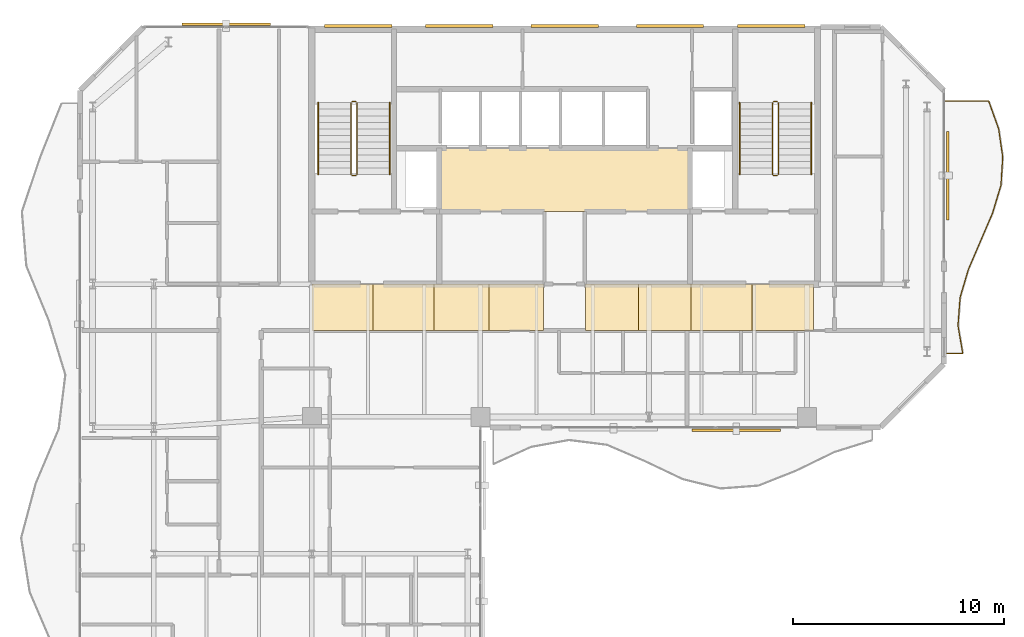
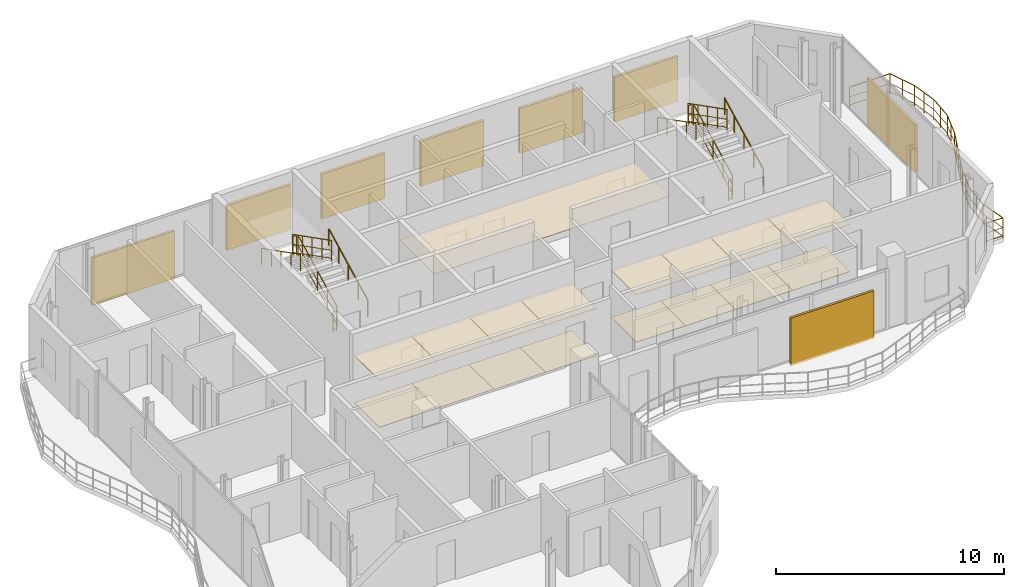
# One storey, part 22 of 22: 17 coverings, 13 railings, 8 shading devices.
"""IFC4 building model written with IfcOpenShell, lengths in metres."""

from ifc_helpers import new_model, si_unit, direction, frame, origin, origin_2d, place, context, subcontext, project, spatial, polyline, rectangle, circle, outline, extrude, material, layer, layer_set, type_object, element, save


model = new_model("IFC4")

# Units and contexts
model_context = context("Model", 3, precision=1e-05, world=origin(), true_north=direction((0.0, 1.0)))
body_context = subcontext(model_context, "Body", "Model", "MODEL_VIEW")
ifc_project = project(units=[si_unit("LENGTHUNIT", "METRE"), si_unit("AREAUNIT", "SQUARE_METRE"), si_unit("VOLUMEUNIT", "CUBIC_METRE"), si_unit("PLANEANGLEUNIT", "RADIAN"), si_unit("MASSUNIT", "GRAM", prefix="KILO")], contexts=[model_context])

# Site, building, storey
site_placement = place(None, origin())
site = spatial("IfcSite", under=ifc_project, at=site_placement, CompositionType="ELEMENT")
building_placement = place(site_placement, origin())
building = spatial("IfcBuilding", under=site, at=building_placement, Name="Catumbela Crestline Tower", CompositionType="ELEMENT")
storey_placement = place(building_placement, frame((0.0, 0.0, 218.4)))
storey = spatial("IfcBuildingStorey", under=building, at=storey_placement, Name="L56", CompositionType="ELEMENT", Elevation=218.4)

# Coverings
ifc_material_1 = material(Name="Mineral-fibre acoustic ceiling")
ifc_layer_1 = layer(ifc_material_1, 0.03, Name="Mineral-fibre acoustic ceiling")
ifc_layer_set_1 = layer_set([ifc_layer_1], Name="Mineral-fibre acoustic ceiling")
covering_type_1 = type_object("IfcCoveringType", Name="CC-AC", PredefinedType="CEILING", material=ifc_layer_set_1)
covering_1_placement = place(storey_placement, frame((0.0, 0.0, 2.65)))
element("IfcCovering", 1, at=covering_1_placement, inside=storey, type_object=covering_type_1, Name="L56 Lift Lobby Acoustic Ceiling", PredefinedType="CEILING", context=body_context, shape_type="SweptSolid", body=[
    extrude(outline(polyline([(22.05, 34.25), (33.95, 34.25), (33.95, 37.25), (22.05, 37.25), (22.05, 34.25)])), origin(), (0.0, 0.0, 1.0), 0.03),
])
covering_2_placement = place(storey_placement, frame((0.0, 0.0, 2.52)))
element("IfcCovering", 2, at=covering_2_placement, inside=storey, type_object=covering_type_1, Name="L56 Corridor Acoustic Ceiling Bay 1", PredefinedType="CEILING", context=body_context, shape_type="SweptSolid", body=[
    extrude(outline(polyline([(16.0, 28.6), (18.9, 28.6), (18.9, 30.8), (16.0, 30.8), (16.0, 28.6)])), origin(), (0.0, 0.0, 1.0), 0.03),
])
covering_3_placement = place(storey_placement, frame((0.0, 0.0, 2.52)))
element("IfcCovering", 3, at=covering_3_placement, inside=storey, type_object=covering_type_1, Name="L56 Corridor Acoustic Ceiling Bay 2", PredefinedType="CEILING", context=body_context, shape_type="SweptSolid", body=[
    extrude(outline(polyline([(18.9, 28.6), (21.8, 28.6), (21.8, 30.8), (18.9, 30.8), (18.9, 28.6)])), origin(), (0.0, 0.0, 1.0), 0.03),
])
covering_4_placement = place(storey_placement, frame((0.0, 0.0, 2.52)))
element("IfcCovering", 4, at=covering_4_placement, inside=storey, type_object=covering_type_1, Name="L56 Corridor Acoustic Ceiling Bay 3", PredefinedType="CEILING", context=body_context, shape_type="SweptSolid", body=[
    extrude(outline(polyline([(21.8, 28.6), (24.4, 28.6), (24.4, 30.8), (21.8, 30.8), (21.8, 28.6)])), origin(), (0.0, 0.0, 1.0), 0.03),
])
covering_5_placement = place(storey_placement, frame((0.0, 0.0, 2.52)))
element("IfcCovering", 5, at=covering_5_placement, inside=storey, type_object=covering_type_1, Name="L56 Corridor Acoustic Ceiling Bay 4", PredefinedType="CEILING", context=body_context, shape_type="SweptSolid", body=[
    extrude(outline(polyline([(24.4, 28.6), (27.0, 28.6), (27.0, 30.8), (24.4, 30.8), (24.4, 28.6)])), origin(), (0.0, 0.0, 1.0), 0.03),
])
covering_6_placement = place(storey_placement, frame((0.0, 0.0, 2.52)))
element("IfcCovering", 6, at=covering_6_placement, inside=storey, type_object=covering_type_1, Name="L56 Corridor Acoustic Ceiling Bay 5", PredefinedType="CEILING", context=body_context, shape_type="SweptSolid", body=[
    extrude(outline(polyline([(29.0, 28.6), (31.5, 28.6), (31.5, 30.8), (29.0, 30.8), (29.0, 28.6)])), origin(), (0.0, 0.0, 1.0), 0.03),
])
covering_7_placement = place(storey_placement, frame((0.0, 0.0, 2.52)))
element("IfcCovering", 7, at=covering_7_placement, inside=storey, type_object=covering_type_1, Name="L56 Corridor Acoustic Ceiling Bay 6", PredefinedType="CEILING", context=body_context, shape_type="SweptSolid", body=[
    extrude(outline(polyline([(31.5, 28.6), (34.0, 28.6), (34.0, 30.8), (31.5, 30.8), (31.5, 28.6)])), origin(), (0.0, 0.0, 1.0), 0.03),
])
covering_8_placement = place(storey_placement, frame((0.0, 0.0, 2.52)))
element("IfcCovering", 8, at=covering_8_placement, inside=storey, type_object=covering_type_1, Name="L56 Corridor Acoustic Ceiling Bay 7", PredefinedType="CEILING", context=body_context, shape_type="SweptSolid", body=[
    extrude(outline(polyline([(34.0, 28.6), (36.9, 28.6), (36.9, 30.8), (34.0, 30.8), (34.0, 28.6)])), origin(), (0.0, 0.0, 1.0), 0.03),
])
covering_9_placement = place(storey_placement, frame((0.0, 0.0, 2.52)))
element("IfcCovering", 9, at=covering_9_placement, inside=storey, type_object=covering_type_1, Name="L56 Corridor Acoustic Ceiling Bay 8", PredefinedType="CEILING", context=body_context, shape_type="SweptSolid", body=[
    extrude(outline(polyline([(36.9, 28.6), (39.8, 28.6), (39.8, 30.8), (36.9, 30.8), (36.9, 28.6)])), origin(), (0.0, 0.0, 1.0), 0.03),
])
ifc_material_2 = material(Name="Angolan grey-ochre granite", Category="masonry")
ifc_layer_2 = layer(ifc_material_2, 0.025, Name="Angolan grey-ochre granite")
ifc_layer_set_2 = layer_set([ifc_layer_2], Name="Angolan grey-ochre granite")
covering_type_2 = type_object("IfcCoveringType", Name="CF-GR", PredefinedType="FLOORING", material=ifc_layer_set_2)
covering_10_placement = place(storey_placement, origin())
element("IfcCovering", 10, at=covering_10_placement, inside=storey, type_object=covering_type_2, Name="L56 Corridor Granite Flooring Bay 1", PredefinedType="FLOORING", context=body_context, shape_type="SweptSolid", body=[
    extrude(outline(polyline([(16.0, 28.6), (18.9, 28.6), (18.9, 30.8), (16.0, 30.8), (16.0, 28.6)])), origin(), (0.0, 0.0, 1.0), 0.025),
])
covering_11_placement = place(storey_placement, origin())
element("IfcCovering", 11, at=covering_11_placement, inside=storey, type_object=covering_type_2, Name="L56 Corridor Granite Flooring Bay 2", PredefinedType="FLOORING", context=body_context, shape_type="SweptSolid", body=[
    extrude(outline(polyline([(18.9, 28.6), (21.8, 28.6), (21.8, 30.8), (18.9, 30.8), (18.9, 28.6)])), origin(), (0.0, 0.0, 1.0), 0.025),
])
covering_12_placement = place(storey_placement, origin())
element("IfcCovering", 12, at=covering_12_placement, inside=storey, type_object=covering_type_2, Name="L56 Corridor Granite Flooring Bay 3", PredefinedType="FLOORING", context=body_context, shape_type="SweptSolid", body=[
    extrude(outline(polyline([(21.8, 28.6), (24.4, 28.6), (24.4, 30.8), (21.8, 30.8), (21.8, 28.6)])), origin(), (0.0, 0.0, 1.0), 0.025),
])
covering_13_placement = place(storey_placement, origin())
element("IfcCovering", 13, at=covering_13_placement, inside=storey, type_object=covering_type_2, Name="L56 Corridor Granite Flooring Bay 4", PredefinedType="FLOORING", context=body_context, shape_type="SweptSolid", body=[
    extrude(outline(polyline([(24.4, 28.6), (27.0, 28.6), (27.0, 30.8), (24.4, 30.8), (24.4, 28.6)])), origin(), (0.0, 0.0, 1.0), 0.025),
])
covering_14_placement = place(storey_placement, origin())
element("IfcCovering", 14, at=covering_14_placement, inside=storey, type_object=covering_type_2, Name="L56 Corridor Granite Flooring Bay 5", PredefinedType="FLOORING", context=body_context, shape_type="SweptSolid", body=[
    extrude(outline(polyline([(29.0, 28.6), (31.5, 28.6), (31.5, 30.8), (29.0, 30.8), (29.0, 28.6)])), origin(), (0.0, 0.0, 1.0), 0.025),
])
covering_15_placement = place(storey_placement, origin())
element("IfcCovering", 15, at=covering_15_placement, inside=storey, type_object=covering_type_2, Name="L56 Corridor Granite Flooring Bay 6", PredefinedType="FLOORING", context=body_context, shape_type="SweptSolid", body=[
    extrude(outline(polyline([(31.5, 28.6), (34.0, 28.6), (34.0, 30.8), (31.5, 30.8), (31.5, 28.6)])), origin(), (0.0, 0.0, 1.0), 0.025),
])
covering_16_placement = place(storey_placement, origin())
element("IfcCovering", 16, at=covering_16_placement, inside=storey, type_object=covering_type_2, Name="L56 Corridor Granite Flooring Bay 7", PredefinedType="FLOORING", context=body_context, shape_type="SweptSolid", body=[
    extrude(outline(polyline([(34.0, 28.6), (36.9, 28.6), (36.9, 30.8), (34.0, 30.8), (34.0, 28.6)])), origin(), (0.0, 0.0, 1.0), 0.025),
])
covering_17_placement = place(storey_placement, origin())
element("IfcCovering", 17, at=covering_17_placement, inside=storey, type_object=covering_type_2, Name="L56 Corridor Granite Flooring Bay 8", PredefinedType="FLOORING", context=body_context, shape_type="SweptSolid", body=[
    extrude(outline(polyline([(36.9, 28.6), (39.8, 28.6), (39.8, 30.8), (36.9, 30.8), (36.9, 28.6)])), origin(), (0.0, 0.0, 1.0), 0.025),
])

# Railings
ifc_material_3 = material(Name="Stainless steel EN 1.4401", Category="steel")
railing_type_1 = type_object("IfcRailingType", Name="RB-1100", PredefinedType="BALUSTRADE", material=ifc_material_3)
railing_1_placement = place(storey_placement, frame((46.06, 27.5, 0.0)))
element("IfcRailing", 18, at=railing_1_placement, inside=storey, type_object=railing_type_1, Name="L56 Private Wave Balcony Balustrade 2", PredefinedType="BALUSTRADE", context=body_context, shape_type="SweptSolid", body=[
    extrude(circle(Radius=0.024, at=origin_2d()), frame((0.0, 0.0, 1.076), z_axis=(1.0, 0.0, 0.0), x_axis=(0.0, 1.0, 0.0)), (0.0, 0.0, 1.0), 0.834),
    extrude(circle(Radius=0.0156, at=origin_2d()), frame((0.0, 0.0, 0.55), z_axis=(1.0, 0.0, 0.0), x_axis=(0.0, 1.0, 0.0)), (0.0, 0.0, 1.0), 0.834),
    extrude(circle(Radius=0.0156, at=origin_2d()), frame((0.0, 0.0, 0.12), z_axis=(1.0, 0.0, 0.0), x_axis=(0.0, 1.0, 0.0)), (0.0, 0.0, 1.0), 0.834),
    extrude(circle(Radius=0.024, at=origin_2d()), frame((0.834, 0.0, 1.076), z_axis=(-0.167982802936, 0.985789925855, 0.0), x_axis=(-0.985789925855, -0.167982802936, 0.0)), (0.0, 0.0, 1.0), 1.3525),
    extrude(circle(Radius=0.0156, at=origin_2d()), frame((0.834, 0.0, 0.55), z_axis=(-0.167982802936, 0.985789925855, 0.0), x_axis=(-0.985789925855, -0.167982802936, 0.0)), (0.0, 0.0, 1.0), 1.3525),
    extrude(circle(Radius=0.0156, at=origin_2d()), frame((0.834, 0.0, 0.12), z_axis=(-0.167982802936, 0.985789925855, 0.0), x_axis=(-0.985789925855, -0.167982802936, 0.0)), (0.0, 0.0, 1.0), 1.3525),
    extrude(circle(Radius=0.024, at=origin_2d()), frame((0.6068, 1.3333, 1.076), z_axis=(0.07396810715, 0.997260607426, 0.0), x_axis=(-0.997260607426, 0.07396810715, 0.0)), (0.0, 0.0, 1.0), 1.3371),
    extrude(circle(Radius=0.0156, at=origin_2d()), frame((0.6068, 1.3333, 0.55), z_axis=(0.07396810715, 0.997260607426, 0.0), x_axis=(-0.997260607426, 0.07396810715, 0.0)), (0.0, 0.0, 1.0), 1.3371),
    extrude(circle(Radius=0.0156, at=origin_2d()), frame((0.6068, 1.3333, 0.12), z_axis=(0.07396810715, 0.997260607426, 0.0), x_axis=(-0.997260607426, 0.07396810715, 0.0)), (0.0, 0.0, 1.0), 1.3371),
    extrude(circle(Radius=0.024, at=origin_2d()), frame((0.7057, 2.6667, 1.076), z_axis=(0.284120158971, 0.958788681236, 0.0), x_axis=(-0.958788681236, 0.284120158971, 0.0)), (0.0, 0.0, 1.0), 1.3906),
    extrude(circle(Radius=0.0156, at=origin_2d()), frame((0.7057, 2.6667, 0.55), z_axis=(0.284120158971, 0.958788681236, 0.0), x_axis=(-0.958788681236, 0.284120158971, 0.0)), (0.0, 0.0, 1.0), 1.3906),
    extrude(circle(Radius=0.0156, at=origin_2d()), frame((0.7057, 2.6667, 0.12), z_axis=(0.284120158971, 0.958788681236, 0.0), x_axis=(-0.958788681236, 0.284120158971, 0.0)), (0.0, 0.0, 1.0), 1.3906),
    extrude(circle(Radius=0.024, at=origin_2d()), frame((1.1008, 4.0, 1.076), z_axis=(0.393677976262, 0.919248416374, 0.0), x_axis=(-0.919248416374, 0.393677976262, 0.0)), (0.0, 0.0, 1.0), 1.4504),
    extrude(circle(Radius=0.0156, at=origin_2d()), frame((1.1008, 4.0, 0.55), z_axis=(0.393677976262, 0.919248416374, 0.0), x_axis=(-0.919248416374, 0.393677976262, 0.0)), (0.0, 0.0, 1.0), 1.4504),
    extrude(circle(Radius=0.0156, at=origin_2d()), frame((1.1008, 4.0, 0.12), z_axis=(0.393677976262, 0.919248416374, 0.0), x_axis=(-0.919248416374, 0.393677976262, 0.0)), (0.0, 0.0, 1.0), 1.4504),
    extrude(circle(Radius=0.024, at=origin_2d()), frame((1.6718, 5.3333, 1.076), z_axis=(0.395166123787, 0.918609674786, 0.0), x_axis=(-0.918609674786, 0.395166123787, 0.0)), (0.0, 0.0, 1.0), 1.4515),
    extrude(circle(Radius=0.0156, at=origin_2d()), frame((1.6718, 5.3333, 0.55), z_axis=(0.395166123787, 0.918609674786, 0.0), x_axis=(-0.918609674786, 0.395166123787, 0.0)), (0.0, 0.0, 1.0), 1.4515),
    extrude(circle(Radius=0.0156, at=origin_2d()), frame((1.6718, 5.3333, 0.12), z_axis=(0.395166123787, 0.918609674786, 0.0), x_axis=(-0.918609674786, 0.395166123787, 0.0)), (0.0, 0.0, 1.0), 1.4515),
    extrude(circle(Radius=0.024, at=origin_2d()), frame((2.2454, 6.6667, 1.076), z_axis=(0.288474300186, 0.957487638631, 0.0), x_axis=(-0.957487638631, 0.288474300186, 0.0)), (0.0, 0.0, 1.0), 1.3925),
    extrude(circle(Radius=0.0156, at=origin_2d()), frame((2.2454, 6.6667, 0.55), z_axis=(0.288474300186, 0.957487638631, 0.0), x_axis=(-0.957487638631, 0.288474300186, 0.0)), (0.0, 0.0, 1.0), 1.3925),
    extrude(circle(Radius=0.0156, at=origin_2d()), frame((2.2454, 6.6667, 0.12), z_axis=(0.288474300186, 0.957487638631, 0.0), x_axis=(-0.957487638631, 0.288474300186, 0.0)), (0.0, 0.0, 1.0), 1.3925),
    extrude(circle(Radius=0.024, at=origin_2d()), frame((2.6471, 8.0, 1.076), z_axis=(0.06205671685, 0.998072624559, 0.0), x_axis=(-0.998072624559, 0.06205671685, 0.0)), (0.0, 0.0, 1.0), 1.3359),
    extrude(circle(Radius=0.0156, at=origin_2d()), frame((2.6471, 8.0, 0.55), z_axis=(0.06205671685, 0.998072624559, 0.0), x_axis=(-0.998072624559, 0.06205671685, 0.0)), (0.0, 0.0, 1.0), 1.3359),
    extrude(circle(Radius=0.0156, at=origin_2d()), frame((2.6471, 8.0, 0.12), z_axis=(0.06205671685, 0.998072624559, 0.0), x_axis=(-0.998072624559, 0.06205671685, 0.0)), (0.0, 0.0, 1.0), 1.3359),
    extrude(circle(Radius=0.024, at=origin_2d()), frame((2.73, 9.3333, 1.076), z_axis=(-0.143904167324, 0.989591628212, 0.0), x_axis=(-0.989591628212, -0.143904167324, 0.0)), (0.0, 0.0, 1.0), 1.3474),
    extrude(circle(Radius=0.0156, at=origin_2d()), frame((2.73, 9.3333, 0.55), z_axis=(-0.143904167324, 0.989591628212, 0.0), x_axis=(-0.989591628212, -0.143904167324, 0.0)), (0.0, 0.0, 1.0), 1.3474),
    extrude(circle(Radius=0.0156, at=origin_2d()), frame((2.73, 9.3333, 0.12), z_axis=(-0.143904167324, 0.989591628212, 0.0), x_axis=(-0.989591628212, -0.143904167324, 0.0)), (0.0, 0.0, 1.0), 1.3474),
    extrude(circle(Radius=0.024, at=origin_2d()), frame((2.5361, 10.6667, 1.076), z_axis=(-0.338102026778, 0.941109462012, 0.0), x_axis=(-0.941109462012, -0.338102026778, 0.0)), (0.0, 0.0, 1.0), 1.4167),
    extrude(circle(Radius=0.0156, at=origin_2d()), frame((2.5361, 10.6667, 0.55), z_axis=(-0.338102026778, 0.941109462012, 0.0), x_axis=(-0.941109462012, -0.338102026778, 0.0)), (0.0, 0.0, 1.0), 1.4167),
    extrude(circle(Radius=0.0156, at=origin_2d()), frame((2.5361, 10.6667, 0.12), z_axis=(-0.338102026778, 0.941109462012, 0.0), x_axis=(-0.941109462012, -0.338102026778, 0.0)), (0.0, 0.0, 1.0), 1.4167),
    extrude(circle(Radius=0.024, at=origin_2d()), frame((2.0571, 12.0, 1.076), z_axis=(-1.0, 0.0, 0.0), x_axis=(0.0, -1.0, 0.0)), (0.0, 0.0, 1.0), 2.0571),
    extrude(circle(Radius=0.0156, at=origin_2d()), frame((2.0571, 12.0, 0.55), z_axis=(-1.0, 0.0, 0.0), x_axis=(0.0, -1.0, 0.0)), (0.0, 0.0, 1.0), 2.0571),
    extrude(circle(Radius=0.0156, at=origin_2d()), frame((2.0571, 12.0, 0.12), z_axis=(-1.0, 0.0, 0.0), x_axis=(0.0, -1.0, 0.0)), (0.0, 0.0, 1.0), 2.0571),
    extrude(circle(Radius=0.021, at=origin_2d()), origin(), (0.0, 0.0, 1.0), 1.052),
    extrude(circle(Radius=0.021, at=origin_2d()), frame((0.834, 0.0, 0.0)), (0.0, 0.0, 1.0), 1.052),
    extrude(circle(Radius=0.021, at=origin_2d()), frame((0.7204, 0.6667, 0.0)), (0.0, 0.0, 1.0), 1.052),
    extrude(circle(Radius=0.021, at=origin_2d()), frame((0.6068, 1.3333, 0.0)), (0.0, 0.0, 1.0), 1.052),
    extrude(circle(Radius=0.021, at=origin_2d()), frame((0.6562, 2.0, 0.0)), (0.0, 0.0, 1.0), 1.052),
    extrude(circle(Radius=0.021, at=origin_2d()), frame((0.7057, 2.6667, 0.0)), (0.0, 0.0, 1.0), 1.052),
    extrude(circle(Radius=0.021, at=origin_2d()), frame((0.9032, 3.3333, 0.0)), (0.0, 0.0, 1.0), 1.052),
    extrude(circle(Radius=0.021, at=origin_2d()), frame((1.1008, 4.0, 0.0)), (0.0, 0.0, 1.0), 1.052),
    extrude(circle(Radius=0.021, at=origin_2d()), frame((1.3863, 4.6667, 0.0)), (0.0, 0.0, 1.0), 1.052),
    extrude(circle(Radius=0.021, at=origin_2d()), frame((1.6718, 5.3333, 0.0)), (0.0, 0.0, 1.0), 1.052),
    extrude(circle(Radius=0.021, at=origin_2d()), frame((1.9586, 6.0, 0.0)), (0.0, 0.0, 1.0), 1.052),
    extrude(circle(Radius=0.021, at=origin_2d()), frame((2.2454, 6.6667, 0.0)), (0.0, 0.0, 1.0), 1.052),
    extrude(circle(Radius=0.021, at=origin_2d()), frame((2.4462, 7.3334, 0.0)), (0.0, 0.0, 1.0), 1.052),
    extrude(circle(Radius=0.021, at=origin_2d()), frame((2.6471, 8.0, 0.0)), (0.0, 0.0, 1.0), 1.052),
    extrude(circle(Radius=0.021, at=origin_2d()), frame((2.6885, 8.6666, 0.0)), (0.0, 0.0, 1.0), 1.052),
    extrude(circle(Radius=0.021, at=origin_2d()), frame((2.73, 9.3333, 0.0)), (0.0, 0.0, 1.0), 1.052),
    extrude(circle(Radius=0.021, at=origin_2d()), frame((2.633, 10.0, 0.0)), (0.0, 0.0, 1.0), 1.052),
    extrude(circle(Radius=0.021, at=origin_2d()), frame((2.5361, 10.6667, 0.0)), (0.0, 0.0, 1.0), 1.052),
    extrude(circle(Radius=0.021, at=origin_2d()), frame((2.2966, 11.3334, 0.0)), (0.0, 0.0, 1.0), 1.052),
    extrude(circle(Radius=0.021, at=origin_2d()), frame((2.0571, 12.0, 0.0)), (0.0, 0.0, 1.0), 1.052),
    extrude(circle(Radius=0.021, at=origin_2d()), frame((1.0285, 12.0, 0.0)), (0.0, 0.0, 1.0), 1.052),
    extrude(circle(Radius=0.021, at=origin_2d()), frame((0.0, 12.0, 0.0)), (0.0, 0.0, 1.0), 1.052),
])
railing_type_2 = type_object("IfcRailingType", Name="RG-1100", PredefinedType="GUARDRAIL", material=ifc_material_3)
railing_2_placement = place(storey_placement, frame((18.14, 36.0, 0.1583)))
element("IfcRailing", 19, at=railing_2_placement, inside=storey, type_object=railing_type_2, Name="L56 ST-01 stair guard 1", PredefinedType="GUARDRAIL", context=body_context, shape_type="SweptSolid", body=[
    extrude(circle(Radius=0.024, at=origin_2d()), frame((0.0, 0.0, 1.076), z_axis=(0.0, 0.890560473983, 0.454864861447), x_axis=(-1.0, 0.0, 0.0)), (0.0, 0.0, 1.0), 3.829),
    extrude(circle(Radius=0.0156, at=origin_2d()), frame((0.0, 0.0, 0.55), z_axis=(0.0, 0.890560473983, 0.454864861447), x_axis=(-1.0, 0.0, 0.0)), (0.0, 0.0, 1.0), 3.829),
    extrude(circle(Radius=0.0156, at=origin_2d()), frame((0.0, 0.0, 0.12), z_axis=(0.0, 0.890560473983, 0.454864861447), x_axis=(-1.0, 0.0, 0.0)), (0.0, 0.0, 1.0), 3.829),
    extrude(circle(Radius=0.021, at=origin_2d()), origin(), (0.0, 0.0, 1.0), 1.052),
    extrude(circle(Radius=0.021, at=origin_2d()), frame((0.0, 0.8525, 0.4354)), (0.0, 0.0, 1.0), 1.052),
    extrude(circle(Radius=0.021, at=origin_2d()), frame((0.0, 1.705, 0.8709)), (0.0, 0.0, 1.0), 1.052),
    extrude(circle(Radius=0.021, at=origin_2d()), frame((0.0, 2.5575, 1.3063)), (0.0, 0.0, 1.0), 1.052),
    extrude(circle(Radius=0.021, at=origin_2d()), frame((0.0, 3.41, 1.7417)), (0.0, 0.0, 1.0), 1.052),
])
railing_3_placement = place(storey_placement, frame((18.09, 39.46, 1.9)))
element("IfcRailing", 20, at=railing_3_placement, inside=storey, type_object=railing_type_2, Name="L56 ST-01 stair guard 2", PredefinedType="GUARDRAIL", context=body_context, shape_type="SweptSolid", body=[
    extrude(circle(Radius=0.024, at=origin_2d()), frame((0.0, 0.0, 1.076), z_axis=(-1.0, 0.0, 0.0), x_axis=(0.0, -1.0, 0.0)), (0.0, 0.0, 1.0), 0.18),
    extrude(circle(Radius=0.0156, at=origin_2d()), frame((0.0, 0.0, 0.55), z_axis=(-1.0, 0.0, 0.0), x_axis=(0.0, -1.0, 0.0)), (0.0, 0.0, 1.0), 0.18),
    extrude(circle(Radius=0.0156, at=origin_2d()), frame((0.0, 0.0, 0.12), z_axis=(-1.0, 0.0, 0.0), x_axis=(0.0, -1.0, 0.0)), (0.0, 0.0, 1.0), 0.18),
    extrude(circle(Radius=0.021, at=origin_2d()), origin(), (0.0, 0.0, 1.0), 1.052),
    extrude(circle(Radius=0.021, at=origin_2d()), frame((-0.18, 0.0, 0.0)), (0.0, 0.0, 1.0), 1.052),
])
railing_4_placement = place(storey_placement, frame((17.86, 39.41, 2.0583)))
element("IfcRailing", 21, at=railing_4_placement, inside=storey, type_object=railing_type_2, Name="L56 ST-01 stair guard 3", PredefinedType="GUARDRAIL", context=body_context, shape_type="SweptSolid", body=[
    extrude(circle(Radius=0.024, at=origin_2d()), frame((0.0, 0.0, 1.076), z_axis=(0.0, -0.890560473983, 0.454864861447), x_axis=(1.0, 0.0, 0.0)), (0.0, 0.0, 1.0), 3.829),
    extrude(circle(Radius=0.0156, at=origin_2d()), frame((0.0, 0.0, 0.55), z_axis=(0.0, -0.890560473983, 0.454864861447), x_axis=(1.0, 0.0, 0.0)), (0.0, 0.0, 1.0), 3.829),
    extrude(circle(Radius=0.0156, at=origin_2d()), frame((0.0, 0.0, 0.12), z_axis=(0.0, -0.890560473983, 0.454864861447), x_axis=(1.0, 0.0, 0.0)), (0.0, 0.0, 1.0), 3.829),
    extrude(circle(Radius=0.021, at=origin_2d()), origin(), (0.0, 0.0, 1.0), 1.052),
    extrude(circle(Radius=0.021, at=origin_2d()), frame((0.0, -0.8525, 0.4354)), (0.0, 0.0, 1.0), 1.052),
    extrude(circle(Radius=0.021, at=origin_2d()), frame((0.0, -1.705, 0.8708)), (0.0, 0.0, 1.0), 1.052),
    extrude(circle(Radius=0.021, at=origin_2d()), frame((0.0, -2.5575, 1.3063)), (0.0, 0.0, 1.0), 1.052),
    extrude(circle(Radius=0.021, at=origin_2d()), frame((0.0, -3.41, 1.7417)), (0.0, 0.0, 1.0), 1.052),
])
railing_5_placement = place(storey_placement, frame((18.09, 35.95, 0.0)))
element("IfcRailing", 22, at=railing_5_placement, inside=storey, type_object=railing_type_2, Name="L56 ST-01 stair guard 4", PredefinedType="GUARDRAIL", context=body_context, shape_type="SweptSolid", body=[
    extrude(circle(Radius=0.024, at=origin_2d()), frame((0.0, 0.0, 1.076), z_axis=(-1.0, 0.0, 0.0), x_axis=(0.0, -1.0, 0.0)), (0.0, 0.0, 1.0), 0.18),
    extrude(circle(Radius=0.0156, at=origin_2d()), frame((0.0, 0.0, 0.55), z_axis=(-1.0, 0.0, 0.0), x_axis=(0.0, -1.0, 0.0)), (0.0, 0.0, 1.0), 0.18),
    extrude(circle(Radius=0.0156, at=origin_2d()), frame((0.0, 0.0, 0.12), z_axis=(-1.0, 0.0, 0.0), x_axis=(0.0, -1.0, 0.0)), (0.0, 0.0, 1.0), 0.18),
    extrude(circle(Radius=0.021, at=origin_2d()), origin(), (0.0, 0.0, 1.0), 1.052),
    extrude(circle(Radius=0.021, at=origin_2d()), frame((-0.18, 0.0, 0.0)), (0.0, 0.0, 1.0), 1.052),
])
railing_6_placement = place(storey_placement, frame((38.14, 36.0, 0.1583)))
element("IfcRailing", 23, at=railing_6_placement, inside=storey, type_object=railing_type_2, Name="L56 ST-02 stair guard 1", PredefinedType="GUARDRAIL", context=body_context, shape_type="SweptSolid", body=[
    extrude(circle(Radius=0.024, at=origin_2d()), frame((0.0, 0.0, 1.076), z_axis=(0.0, 0.890560473983, 0.454864861447), x_axis=(-1.0, 0.0, 0.0)), (0.0, 0.0, 1.0), 3.829),
    extrude(circle(Radius=0.0156, at=origin_2d()), frame((0.0, 0.0, 0.55), z_axis=(0.0, 0.890560473983, 0.454864861447), x_axis=(-1.0, 0.0, 0.0)), (0.0, 0.0, 1.0), 3.829),
    extrude(circle(Radius=0.0156, at=origin_2d()), frame((0.0, 0.0, 0.12), z_axis=(0.0, 0.890560473983, 0.454864861447), x_axis=(-1.0, 0.0, 0.0)), (0.0, 0.0, 1.0), 3.829),
    extrude(circle(Radius=0.021, at=origin_2d()), origin(), (0.0, 0.0, 1.0), 1.052),
    extrude(circle(Radius=0.021, at=origin_2d()), frame((0.0, 0.8525, 0.4354)), (0.0, 0.0, 1.0), 1.052),
    extrude(circle(Radius=0.021, at=origin_2d()), frame((0.0, 1.705, 0.8709)), (0.0, 0.0, 1.0), 1.052),
    extrude(circle(Radius=0.021, at=origin_2d()), frame((0.0, 2.5575, 1.3063)), (0.0, 0.0, 1.0), 1.052),
    extrude(circle(Radius=0.021, at=origin_2d()), frame((0.0, 3.41, 1.7417)), (0.0, 0.0, 1.0), 1.052),
])
railing_7_placement = place(storey_placement, frame((38.09, 39.46, 1.9)))
element("IfcRailing", 24, at=railing_7_placement, inside=storey, type_object=railing_type_2, Name="L56 ST-02 stair guard 2", PredefinedType="GUARDRAIL", context=body_context, shape_type="SweptSolid", body=[
    extrude(circle(Radius=0.024, at=origin_2d()), frame((0.0, 0.0, 1.076), z_axis=(-1.0, 0.0, 0.0), x_axis=(0.0, -1.0, 0.0)), (0.0, 0.0, 1.0), 0.18),
    extrude(circle(Radius=0.0156, at=origin_2d()), frame((0.0, 0.0, 0.55), z_axis=(-1.0, 0.0, 0.0), x_axis=(0.0, -1.0, 0.0)), (0.0, 0.0, 1.0), 0.18),
    extrude(circle(Radius=0.0156, at=origin_2d()), frame((0.0, 0.0, 0.12), z_axis=(-1.0, 0.0, 0.0), x_axis=(0.0, -1.0, 0.0)), (0.0, 0.0, 1.0), 0.18),
    extrude(circle(Radius=0.021, at=origin_2d()), origin(), (0.0, 0.0, 1.0), 1.052),
    extrude(circle(Radius=0.021, at=origin_2d()), frame((-0.18, 0.0, 0.0)), (0.0, 0.0, 1.0), 1.052),
])
railing_8_placement = place(storey_placement, frame((37.86, 39.41, 2.0583)))
element("IfcRailing", 25, at=railing_8_placement, inside=storey, type_object=railing_type_2, Name="L56 ST-02 stair guard 3", PredefinedType="GUARDRAIL", context=body_context, shape_type="SweptSolid", body=[
    extrude(circle(Radius=0.024, at=origin_2d()), frame((0.0, 0.0, 1.076), z_axis=(0.0, -0.890560473983, 0.454864861447), x_axis=(1.0, 0.0, 0.0)), (0.0, 0.0, 1.0), 3.829),
    extrude(circle(Radius=0.0156, at=origin_2d()), frame((0.0, 0.0, 0.55), z_axis=(0.0, -0.890560473983, 0.454864861447), x_axis=(1.0, 0.0, 0.0)), (0.0, 0.0, 1.0), 3.829),
    extrude(circle(Radius=0.0156, at=origin_2d()), frame((0.0, 0.0, 0.12), z_axis=(0.0, -0.890560473983, 0.454864861447), x_axis=(1.0, 0.0, 0.0)), (0.0, 0.0, 1.0), 3.829),
    extrude(circle(Radius=0.021, at=origin_2d()), origin(), (0.0, 0.0, 1.0), 1.052),
    extrude(circle(Radius=0.021, at=origin_2d()), frame((0.0, -0.8525, 0.4354)), (0.0, 0.0, 1.0), 1.052),
    extrude(circle(Radius=0.021, at=origin_2d()), frame((0.0, -1.705, 0.8708)), (0.0, 0.0, 1.0), 1.052),
    extrude(circle(Radius=0.021, at=origin_2d()), frame((0.0, -2.5575, 1.3063)), (0.0, 0.0, 1.0), 1.052),
    extrude(circle(Radius=0.021, at=origin_2d()), frame((0.0, -3.41, 1.7417)), (0.0, 0.0, 1.0), 1.052),
])
railing_9_placement = place(storey_placement, frame((38.09, 35.95, 0.0)))
element("IfcRailing", 26, at=railing_9_placement, inside=storey, type_object=railing_type_2, Name="L56 ST-02 stair guard 4", PredefinedType="GUARDRAIL", context=body_context, shape_type="SweptSolid", body=[
    extrude(circle(Radius=0.024, at=origin_2d()), frame((0.0, 0.0, 1.076), z_axis=(-1.0, 0.0, 0.0), x_axis=(0.0, -1.0, 0.0)), (0.0, 0.0, 1.0), 0.18),
    extrude(circle(Radius=0.0156, at=origin_2d()), frame((0.0, 0.0, 0.55), z_axis=(-1.0, 0.0, 0.0), x_axis=(0.0, -1.0, 0.0)), (0.0, 0.0, 1.0), 0.18),
    extrude(circle(Radius=0.0156, at=origin_2d()), frame((0.0, 0.0, 0.12), z_axis=(-1.0, 0.0, 0.0), x_axis=(0.0, -1.0, 0.0)), (0.0, 0.0, 1.0), 0.18),
    extrude(circle(Radius=0.021, at=origin_2d()), origin(), (0.0, 0.0, 1.0), 1.052),
    extrude(circle(Radius=0.021, at=origin_2d()), frame((-0.18, 0.0, 0.0)), (0.0, 0.0, 1.0), 1.052),
])
railing_type_3 = type_object("IfcRailingType", Name="RH-0900", PredefinedType="HANDRAIL", material=ifc_material_3)
railing_10_placement = place(storey_placement, frame((19.7, 36.0, 0.1583)))
element("IfcRailing", 27, at=railing_10_placement, inside=storey, type_object=railing_type_3, Name="L56 ST-01 stair handrail 1", PredefinedType="HANDRAIL", context=body_context, shape_type="SweptSolid", body=[
    extrude(circle(Radius=0.024, at=origin_2d()), frame((0.0, 0.0, 0.876), z_axis=(0.0, 0.890560473983, 0.454864861447), x_axis=(-1.0, 0.0, 0.0)), (0.0, 0.0, 1.0), 3.829),
    extrude(circle(Radius=0.021, at=origin_2d()), origin(), (0.0, 0.0, 1.0), 0.852),
    extrude(circle(Radius=0.021, at=origin_2d()), frame((0.0, 0.8525, 0.4354)), (0.0, 0.0, 1.0), 0.852),
    extrude(circle(Radius=0.021, at=origin_2d()), frame((0.0, 1.705, 0.8709)), (0.0, 0.0, 1.0), 0.852),
    extrude(circle(Radius=0.021, at=origin_2d()), frame((0.0, 2.5575, 1.3063)), (0.0, 0.0, 1.0), 0.852),
    extrude(circle(Radius=0.021, at=origin_2d()), frame((0.0, 3.41, 1.7417)), (0.0, 0.0, 1.0), 0.852),
])
railing_11_placement = place(storey_placement, frame((16.3, 39.41, 2.0583)))
element("IfcRailing", 28, at=railing_11_placement, inside=storey, type_object=railing_type_3, Name="L56 ST-01 stair handrail 2", PredefinedType="HANDRAIL", context=body_context, shape_type="SweptSolid", body=[
    extrude(circle(Radius=0.024, at=origin_2d()), frame((0.0, 0.0, 0.876), z_axis=(0.0, -0.890560473983, 0.454864861447), x_axis=(1.0, 0.0, 0.0)), (0.0, 0.0, 1.0), 3.829),
    extrude(circle(Radius=0.021, at=origin_2d()), origin(), (0.0, 0.0, 1.0), 0.852),
    extrude(circle(Radius=0.021, at=origin_2d()), frame((0.0, -0.8525, 0.4354)), (0.0, 0.0, 1.0), 0.852),
    extrude(circle(Radius=0.021, at=origin_2d()), frame((0.0, -1.705, 0.8708)), (0.0, 0.0, 1.0), 0.852),
    extrude(circle(Radius=0.021, at=origin_2d()), frame((0.0, -2.5575, 1.3063)), (0.0, 0.0, 1.0), 0.852),
    extrude(circle(Radius=0.021, at=origin_2d()), frame((0.0, -3.41, 1.7417)), (0.0, 0.0, 1.0), 0.852),
])
railing_12_placement = place(storey_placement, frame((39.7, 36.0, 0.1583)))
element("IfcRailing", 29, at=railing_12_placement, inside=storey, type_object=railing_type_3, Name="L56 ST-02 stair handrail 1", PredefinedType="HANDRAIL", context=body_context, shape_type="SweptSolid", body=[
    extrude(circle(Radius=0.024, at=origin_2d()), frame((0.0, 0.0, 0.876), z_axis=(0.0, 0.890560473983, 0.454864861447), x_axis=(-1.0, 0.0, 0.0)), (0.0, 0.0, 1.0), 3.829),
    extrude(circle(Radius=0.021, at=origin_2d()), origin(), (0.0, 0.0, 1.0), 0.852),
    extrude(circle(Radius=0.021, at=origin_2d()), frame((0.0, 0.8525, 0.4354)), (0.0, 0.0, 1.0), 0.852),
    extrude(circle(Radius=0.021, at=origin_2d()), frame((0.0, 1.705, 0.8709)), (0.0, 0.0, 1.0), 0.852),
    extrude(circle(Radius=0.021, at=origin_2d()), frame((0.0, 2.5575, 1.3063)), (0.0, 0.0, 1.0), 0.852),
    extrude(circle(Radius=0.021, at=origin_2d()), frame((0.0, 3.41, 1.7417)), (0.0, 0.0, 1.0), 0.852),
])
railing_13_placement = place(storey_placement, frame((36.3, 39.41, 2.0583)))
element("IfcRailing", 30, at=railing_13_placement, inside=storey, type_object=railing_type_3, Name="L56 ST-02 stair handrail 2", PredefinedType="HANDRAIL", context=body_context, shape_type="SweptSolid", body=[
    extrude(circle(Radius=0.024, at=origin_2d()), frame((0.0, 0.0, 0.876), z_axis=(0.0, -0.890560473983, 0.454864861447), x_axis=(1.0, 0.0, 0.0)), (0.0, 0.0, 1.0), 3.829),
    extrude(circle(Radius=0.021, at=origin_2d()), origin(), (0.0, 0.0, 1.0), 0.852),
    extrude(circle(Radius=0.021, at=origin_2d()), frame((0.0, -0.8525, 0.4354)), (0.0, 0.0, 1.0), 0.852),
    extrude(circle(Radius=0.021, at=origin_2d()), frame((0.0, -1.705, 0.8708)), (0.0, 0.0, 1.0), 0.852),
    extrude(circle(Radius=0.021, at=origin_2d()), frame((0.0, -2.5575, 1.3063)), (0.0, 0.0, 1.0), 0.852),
    extrude(circle(Radius=0.021, at=origin_2d()), frame((0.0, -3.41, 1.7417)), (0.0, 0.0, 1.0), 0.852),
])

# Shading devices
ifc_material_4 = material(Name="Extruded terracotta ceramic", Category="masonry")
shading_device_type_1 = type_object("IfcShadingDeviceType", Name="ST-180", PredefinedType="USERDEFINED", material=ifc_material_4)
for number, where, z_axis, x_axis, name in (
    (31, (18.2, 43.04, 0.55), (0.0, 0.0, 1.0), (1.0, 0.0, 0.0), "L56 Rear Core Terracotta Brise-Soleil Screen 656"),
    (32, (33.0, 43.04, 0.55), (0.0, 0.0, 1.0), (1.0, 0.0, 0.0), "L56 Rear Core Terracotta Brise-Soleil Screen 659"),
):
    element("IfcShadingDevice", number, at=place(storey_placement, frame(where, z_axis=z_axis, x_axis=x_axis)), inside=storey, type_object=shading_device_type_1, Name=name, ObjectType="SCREEN", PredefinedType="USERDEFINED", context=body_context, shape_type="SweptSolid", body=[
        extrude(rectangle(XDim=3.2, YDim=0.14, at=origin_2d()), origin(), (0.0, 0.0, 1.0), 2.4),
    ])
shading_device_type_2 = type_object("IfcShadingDeviceType", Name="ST-260", PredefinedType="USERDEFINED", material=ifc_material_4)
for number, where, z_axis, x_axis, name in (
    (33, (28.0, 43.04, 0.55), (0.0, 0.0, 1.0), (1.0, 0.0, 0.0), "L56 Rear Core Terracotta Brise-Soleil Screen 658"),
    (34, (37.8, 43.04, 0.55), (0.0, 0.0, 1.0), (1.0, 0.0, 0.0), "L56 Rear Core Terracotta Brise-Soleil Screen 660"),
):
    element("IfcShadingDevice", number, at=place(storey_placement, frame(where, z_axis=z_axis, x_axis=x_axis)), inside=storey, type_object=shading_device_type_2, Name=name, ObjectType="SCREEN", PredefinedType="USERDEFINED", context=body_context, shape_type="SweptSolid", body=[
        extrude(rectangle(XDim=3.2, YDim=0.14, at=origin_2d()), origin(), (0.0, 0.0, 1.0), 2.4),
    ])
for number, where, z_axis, x_axis, name in (
    (35, (36.1375, 23.857, -0.1), (0.0, 0.0, 1.0), (1.0, 0.0, 0.0), "L56 Perforated Terracotta Solar Screen 665 (260 mm)"),
    (36, (11.93, 43.143, -0.1), (0.0, 0.0, 1.0), (-1.0, 0.0, 0.0), "L56 Perforated Terracotta Solar Screen 667 (260 mm)"),
):
    element("IfcShadingDevice", number, at=place(storey_placement, frame(where, z_axis=z_axis, x_axis=x_axis)), inside=storey, type_object=shading_device_type_2, Name=name, ObjectType="SCREEN", PredefinedType="USERDEFINED", context=body_context, shape_type="SweptSolid", body=[
        extrude(rectangle(XDim=4.2, YDim=0.12, at=origin_2d()), origin(), (0.0, 0.0, 1.0), 2.55),
    ])
shading_device_type_3 = type_object("IfcShadingDeviceType", Name="ST-340", PredefinedType="USERDEFINED", material=ifc_material_4)
shading_device_1_placement = place(storey_placement, frame((23.0, 43.04, 0.55), z_axis=(0.0, 0.0, 1.0), x_axis=(1.0, 0.0, 0.0)))
element("IfcShadingDevice", 37, at=shading_device_1_placement, inside=storey, type_object=shading_device_type_3, Name="L56 Rear Core Terracotta Brise-Soleil Screen 657", ObjectType="SCREEN", PredefinedType="USERDEFINED", context=body_context, shape_type="SweptSolid", body=[
    extrude(rectangle(XDim=3.2, YDim=0.14, at=origin_2d()), origin(), (0.0, 0.0, 1.0), 2.4),
])
shading_device_2_placement = place(storey_placement, frame((46.187, 35.95, -0.1), z_axis=(0.0, 0.0, 1.0), x_axis=(0.0, 1.0, 0.0)))
element("IfcShadingDevice", 38, at=shading_device_2_placement, inside=storey, type_object=shading_device_type_3, Name="L56 Perforated Terracotta Solar Screen 666 (340 mm)", ObjectType="SCREEN", PredefinedType="USERDEFINED", context=body_context, shape_type="SweptSolid", body=[
    extrude(rectangle(XDim=4.2, YDim=0.12, at=origin_2d()), origin(), (0.0, 0.0, 1.0), 2.55),
])

save(model, "model.ifc")
